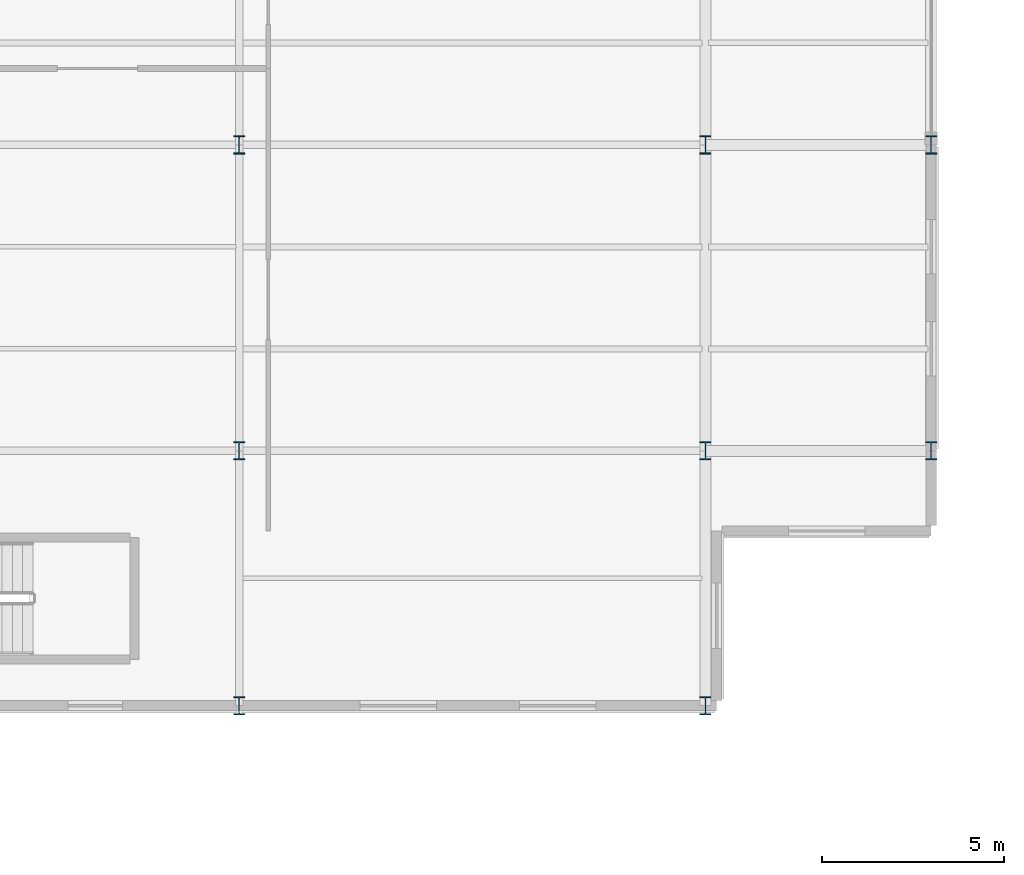
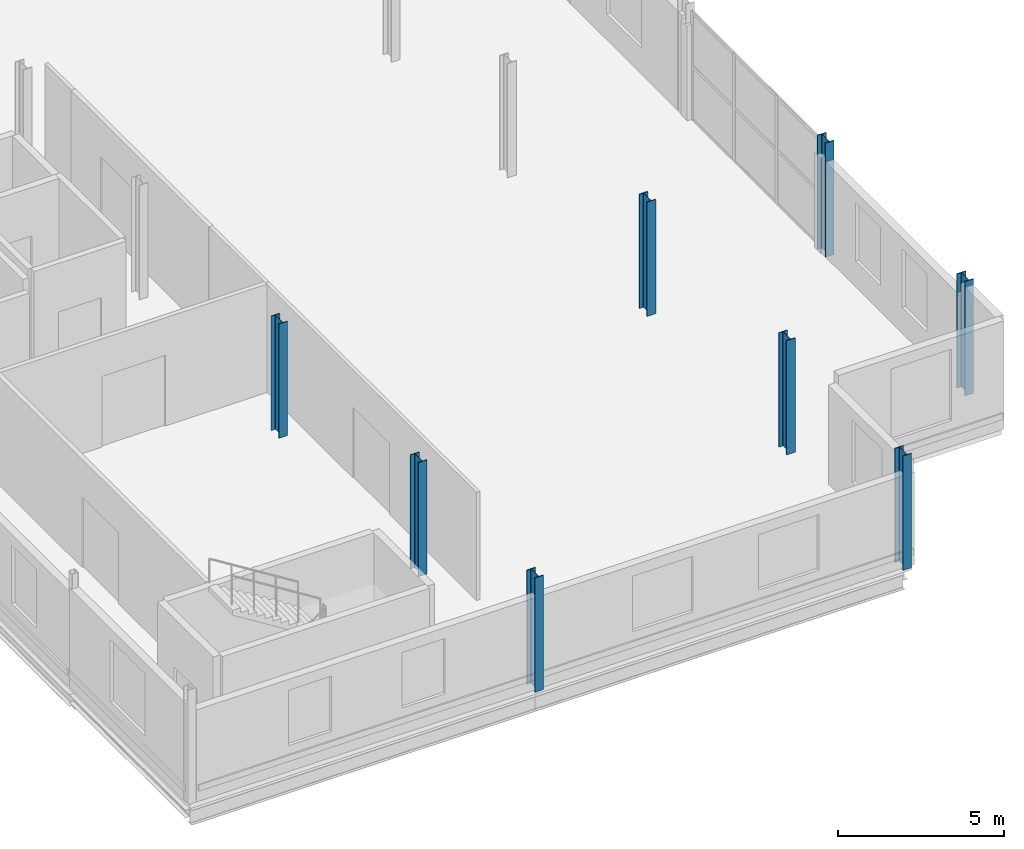
# One storey, part 12 of 101: 8 columns.
"""IFC4 building model written with IfcOpenShell, lengths in metres."""

from ifc_helpers import new_model, si_unit, direction, frame, origin, origin_2d, place, context, subcontext, project, spatial, i_section, extrude, material, material_profile, profile_set, type_object, element, save


model = new_model("IFC4")

# Units and contexts
model_context = context("Model", 3, precision=1e-05, world=origin(), true_north=direction((0.0, 1.0)))
body_context = subcontext(model_context, "Body", "Model", "MODEL_VIEW")
ifc_project = project(units=[si_unit("LENGTHUNIT", "METRE"), si_unit("AREAUNIT", "SQUARE_METRE"), si_unit("VOLUMEUNIT", "CUBIC_METRE"), si_unit("PLANEANGLEUNIT", "RADIAN"), si_unit("MASSUNIT", "GRAM", prefix="KILO")], contexts=[model_context])

# Site, building, storey
site_placement = place(None, origin())
site = spatial("IfcSite", under=ifc_project, at=site_placement, CompositionType="ELEMENT")
building_placement = place(site_placement, origin())
building = spatial("IfcBuilding", under=site, at=building_placement, Name="Vekula Escarpment Museum", CompositionType="ELEMENT")
storey_placement = place(building_placement, frame((0.0, 0.0, 18.0)))
storey = spatial("IfcBuildingStorey", under=building, at=storey_placement, Name="L04", CompositionType="ELEMENT", Elevation=18.0)

# Columns
ifc_material = material(Name="Steel S355", Category="steel")
ifc_material_profile = material_profile(ifc_material, i_section(OverallWidth=0.300048828125, OverallDepth=0.5, WebThickness=0.014404296875, FlangeThickness=0.028076171875, FilletRadius=0.027099609375, at=origin_2d()), Name="HEB 500")
ifc_profile_set = profile_set([ifc_material_profile], Name="Steel S355")
column_type = type_object("IfcColumnType", Name="COL-S-HEB500", PredefinedType="COLUMN", material=ifc_profile_set)
for number, where, z_axis, x_axis, name in (
    (1, (179.0, 52.60009765625, 0.0), (0.0, 0.0, 1.0), (1.0, 0.0, 0.0), "Column L04 (179.0,52.6)"),
    (2, (179.0, 59.60009765625, 0.0), (0.0, 0.0, 1.0), (1.0, 0.0, 0.0), "Column L04 (179.0,59.6)"),
    (3, (179.0, 68.0, 0.0), (0.0, 0.0, 1.0), (1.0, 0.0, 0.0), "Column L04 (179.0,68.0)"),
    (4, (191.800048828125, 52.60009765625, 0.0), (0.0, 0.0, 1.0), (1.0, 0.0, 0.0), "Column L04 (191.8,52.6)"),
    (5, (191.800048828125, 59.60009765625, 0.0), (0.0, 0.0, 1.0), (1.0, 0.0, 0.0), "Column L04 (191.8,59.6)"),
    (6, (191.800048828125, 68.0, 0.0), (0.0, 0.0, 1.0), (1.0, 0.0, 0.0), "Column L04 (191.8,68.0)"),
    (7, (198.0, 59.60009765625, 0.0), (0.0, 0.0, 1.0), (1.0, 0.0, 0.0), "Column L04 (198.0,59.6)"),
    (8, (198.0, 68.0, 0.0), (0.0, 0.0, 1.0), (1.0, 0.0, 0.0), "Column L04 (198.0,68.0)"),
):
    element("IfcColumn", number, at=place(storey_placement, frame(where, z_axis=z_axis, x_axis=x_axis)), inside=storey, type_object=column_type, Name=name, PredefinedType="COLUMN", context=body_context, shape_type="SweptSolid", body=[
        extrude(i_section(OverallWidth=0.300048828125, OverallDepth=0.5, WebThickness=0.014404296875, FlangeThickness=0.028076171875, FilletRadius=0.027099609375, at=origin_2d()), origin(), (0.0, 0.0, 1.0), 4.199951171875),
    ])

save(model, "model.ifc")
